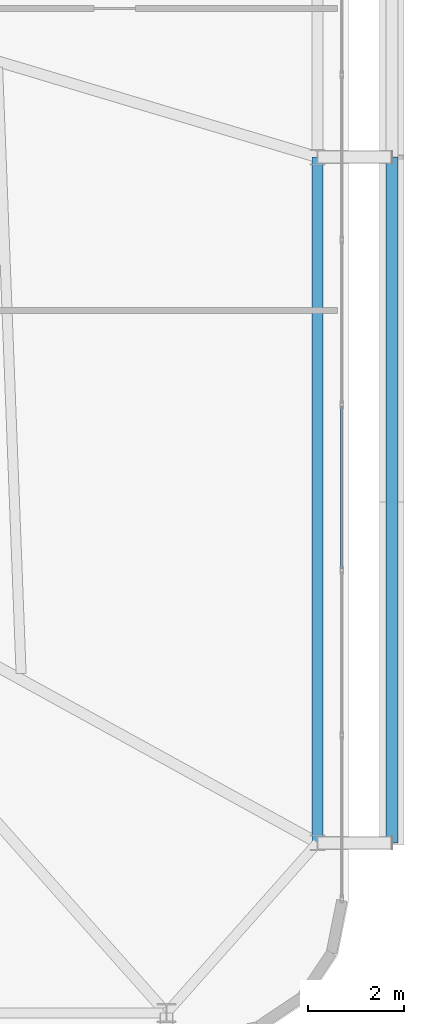
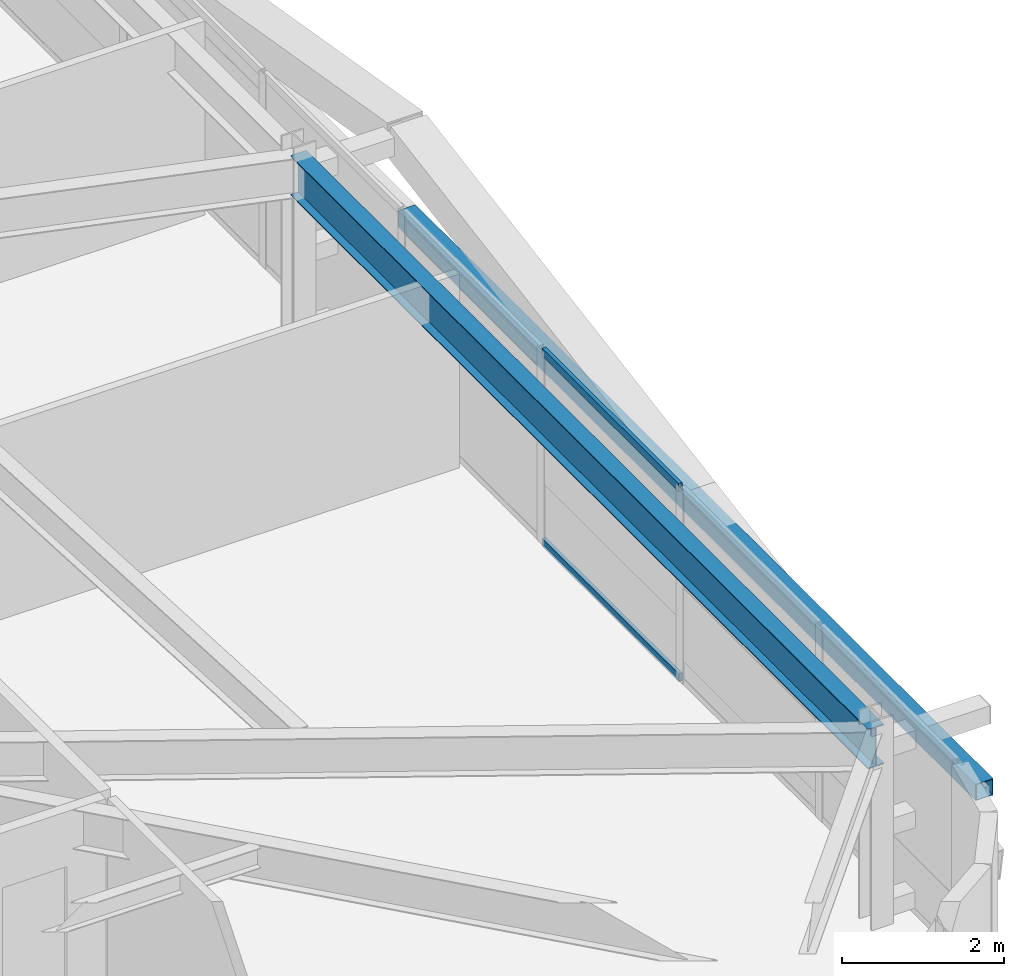
# One storey, part 27 of 59: 3 members, 1 beam, 1 element without a shape of its own.
"""IFC4 building model written with IfcOpenShell, lengths in metres."""

from ifc_helpers import new_model, si_unit, direction, frame, origin, origin_2d, place, context, subcontext, project, spatial, hollow_rectangle, i_section, extrude, source, transform, mapped, material, layer, layer_set, material_profile, profile_set, type_object, element, aggregate, save


model = new_model("IFC4")

# Units and contexts
model_context = context("Model", 3, precision=1e-05, world=origin(), true_north=direction((0.0, 1.0)))
body_context = subcontext(model_context, "Body", "Model", "MODEL_VIEW")
ifc_project = project(units=[si_unit("LENGTHUNIT", "METRE"), si_unit("AREAUNIT", "SQUARE_METRE"), si_unit("VOLUMEUNIT", "CUBIC_METRE"), si_unit("PLANEANGLEUNIT", "RADIAN"), si_unit("MASSUNIT", "GRAM", prefix="KILO")], contexts=[model_context])

# Site, building, storey
site_placement = place(None, origin())
site = spatial("IfcSite", under=ifc_project, at=site_placement, CompositionType="ELEMENT")
building_placement = place(site_placement, origin())
building = spatial("IfcBuilding", under=site, at=building_placement, Name="Taldren Reach Tower", CompositionType="ELEMENT")
storey_placement = place(building_placement, frame((0.0, 0.0, 48.300048828125)))
storey = spatial("IfcBuildingStorey", under=building, at=storey_placement, Name="L14", CompositionType="ELEMENT", Elevation=48.300048828125)

# Beam
ifc_material_1 = material(Name="Steel Gr 350 (350PLUS)", Category="steel")
ifc_material_profile_1 = material_profile(ifc_material_1, i_section(OverallWidth=0.22802734375, OverallDepth=0.60205078125, WebThickness=0.010498046875, FlangeThickness=0.014892578125, at=origin_2d()), Name="610UB101")
ifc_profile_set_1 = profile_set([ifc_material_profile_1], Name="Steel Gr 350 (350PLUS)")
beam_type = type_object("IfcBeamType", Name="BM-UB610B", PredefinedType="BEAM", material=ifc_profile_set_1)
shared_shape_1 = source(origin(), body_context, "Body", "SweptSolid", [
    extrude(i_section(OverallWidth=0.22802734375, OverallDepth=0.60205078125, WebThickness=0.010498046875, FlangeThickness=0.014892578125, at=origin_2d()), origin(), (0.0, 0.0, 1.0), 14.300048828125),
])
beam_placement = place(storey_placement, frame((64.35009765625, 5.699951171875, 2.62890625), z_axis=(0.0, 1.0, 0.0), x_axis=(-1.0, 0.0, 0.0)))
element("IfcBeam", 1, at=beam_placement, inside=storey, type_object=beam_type, Name="Perimeter gable girder B1 E1-E2 L14", PredefinedType="BEAM", context=body_context, shape_type="MappedRepresentation", body=[
    mapped(shared_shape_1, transform((0.0, 0.0, 0.0), scale=1.0)),
])

# Member
ifc_material_2 = material(Name="Steel Gr 350 (C350L0)", Category="steel")
ifc_material_profile_2 = material_profile(ifc_material_2, hollow_rectangle(XDim=0.25, YDim=0.25, WallThickness=0.010009765625, at=origin_2d()), Name="250x250x10.0SHS")
ifc_profile_set_2 = profile_set([ifc_material_profile_2], Name="Steel Gr 350 (C350L0)")
member_type_1 = type_object("IfcMemberType", Name="MB-POST250", PredefinedType="POST", material=ifc_profile_set_2)
shared_shape_2 = source(origin(), body_context, "Body", "SweptSolid", [
    extrude(hollow_rectangle(XDim=0.25, YDim=0.25, WallThickness=0.010009765625, at=origin_2d()), origin(), (0.0, 0.0, 1.0), 14.300048828125),
])
member_1_placement = place(storey_placement, frame((65.89990234375, 5.699951171875, 1.43505859375), z_axis=(0.0, 1.0, 0.0), x_axis=(-1.0, 0.0, 0.0)))
element("IfcMember", 2, at=member_1_placement, inside=storey, type_object=member_type_1, Name="Exoskeleton mid-height ring chord B1-E1 L14", PredefinedType="POST", context=body_context, shape_type="MappedRepresentation", body=[
    mapped(shared_shape_2, transform((0.0, 0.0, 0.0), scale=1.0)),
])

# Curtain wall, members
ifc_material_3 = material(Name="Aluminium and Low-E Glass Unitised System", Category="aluminium")
ifc_layer = layer(ifc_material_3, 0.159912109375)
ifc_layer_set = layer_set([ifc_layer], Name="Aluminium and Low-E Glass Unitised System")
curtain_wall_type = type_object("IfcCurtainWallType", Name="CW-SYS-2", PredefinedType="NOTDEFINED", material=ifc_layer_set)
curtain_wall_placement = place(storey_placement, origin())
curtain_wall = element("IfcCurtainWall", 3, at=curtain_wall_placement, inside=storey, type_object=curtain_wall_type, Name="Unitised curtain wall CW-L14-E", PredefinedType="NOTDEFINED")
ifc_material_4 = material(Name="Anodised Aluminium 6063-T6", Category="aluminium")
ifc_material_profile_3 = material_profile(ifc_material_4, hollow_rectangle(XDim=0.054931640625, YDim=0.1201171875, WallThickness=0.0029296875, at=origin_2d()), Name="ALU-120x55x3RHS")
ifc_profile_set_3 = profile_set([ifc_material_profile_3], Name="Anodised Aluminium 6063-T6")
member_type_2 = type_object("IfcMemberType", Name="CW-TRN-135", PredefinedType="USERDEFINED", material=ifc_profile_set_3)
shared_shape_3 = source(origin(), body_context, "Body", "SweptSolid", [
    extrude(hollow_rectangle(XDim=0.054931640625, YDim=0.1201171875, WallThickness=0.0029296875, at=origin_2d()), origin(), (0.0, 0.0, 1.0), 3.37939453125),
])
member_2_placement = place(storey_placement, frame((64.860107421875, 11.42138671875, 0.02734375), z_axis=(0.0, 1.0, 0.0), x_axis=(-1.0, 0.0, 0.0)))
member_2 = element("IfcMember", 4, at=member_2_placement, type_object=member_type_2, Name="CW-2 transom 3.1", ObjectType="TRANSOM", PredefinedType="USERDEFINED", context=body_context, shape_type="MappedRepresentation", body=[
    mapped(shared_shape_3, transform((0.0, 0.0, 0.0), scale=1.0)),
])
member_3_placement = place(storey_placement, frame((64.860107421875, 11.42138671875, 2.90234375), z_axis=(0.0, 1.0, 0.0), x_axis=(-1.0, 0.0, 0.0)))
member_3 = element("IfcMember", 5, at=member_3_placement, type_object=member_type_2, Name="CW-2 transom 3.2", ObjectType="TRANSOM", PredefinedType="USERDEFINED", context=body_context, shape_type="MappedRepresentation", body=[
    mapped(shared_shape_3, transform((0.0, 0.0, 0.0), scale=1.0)),
])
aggregate(curtain_wall, [member_2, member_3])

save(model, "model.ifc")
